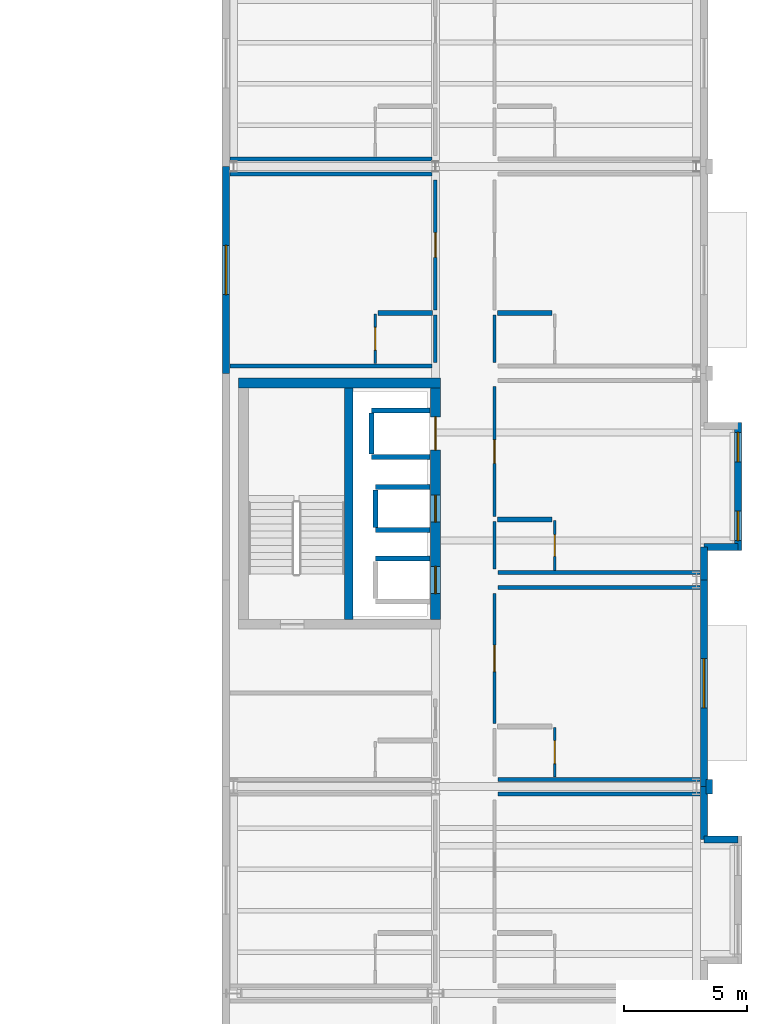
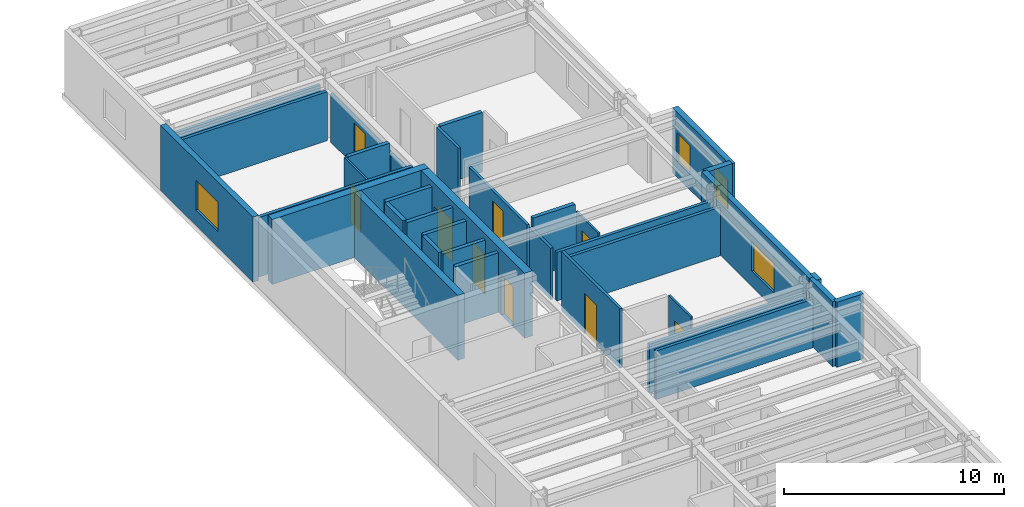
# One storey, part 25 of 34: 37 walls, 9 doors, 4 windows, 13 openings.
"""IFC4 building model written with IfcOpenShell, lengths in metres."""

import ifcopenshell
import ifcopenshell.guid

model = None  # the IFC model being written
_history = None  # IfcOwnerHistory: only IFC2X3 demands one
_inside = {}  # id of a spatial element -> (the spatial element, [elements in it])
_under = {}  # id of a project, library or spatial element -> (it, [spatial elements below it])
_declared = {}  # id of a project -> (the project, [libraries it declares])
_typed = {}  # id of a type object -> (the type object, [elements of that type])
_made_of = {}  # id of a material, layer set ... -> (it, [elements and type objects made of it])


def new_model(schema):
    """Start an empty IFC model of exactly this schema.

    Asked for "IFC4X3", IfcOpenShell would pick the latest addendum, in which some entities
    have other attributes; the version numbers below select the first issue.
    IFC2X3 requires an IfcOwnerHistory on every rooted entity: one is made here for all.
    """
    global model, _history
    if schema == "IFC4X3":
        model = ifcopenshell.file(schema_version=(4, 3, 0, 0))
    else:
        model = ifcopenshell.file(schema=schema)
    _inside.clear()
    _under.clear()
    _declared.clear()
    _typed.clear()
    _made_of.clear()
    _history = None
    if model.schema == "IFC2X3":
        org = make("IfcOrganization", Name="unknown")
        user = make(
            "IfcPersonAndOrganization",
            ThePerson=make("IfcPerson", FamilyName="unknown"),
            TheOrganization=org,
        )
        app = make(
            "IfcApplication",
            ApplicationDeveloper=org,
            Version="unknown",
            ApplicationFullName="unknown",
            ApplicationIdentifier="unknown",
        )
        _history = make(
            "IfcOwnerHistory",
            OwningUser=user,
            OwningApplication=app,
            ChangeAction="ADDED",
            CreationDate=0,
        )
    return model


def make(cls, **values):
    """One entity of the class cls with the attributes given. An attribute that is None is left unset."""
    return model.create_entity(
        cls, **{name: value for name, value in values.items() if value is not None}
    )


def rooted(cls, **values):
    """An entity with a GlobalId (a new one), such as an element, a storey or a relation."""
    return make(cls, GlobalId=ifcopenshell.guid.new(), OwnerHistory=_history, **values)


def si_unit(unit_type, name, prefix=None):
    """IfcSIUnit, for example si_unit("LENGTHUNIT", "METRE", prefix="MILLI")."""
    return make("IfcSIUnit", UnitType=unit_type, Prefix=prefix, Name=name)


def assignment(units):
    """IfcUnitAssignment: the units of a project."""
    return None if units is None else make("IfcUnitAssignment", Units=units)


def point(xyz):
    """IfcCartesianPoint."""
    return None if xyz is None else make("IfcCartesianPoint", Coordinates=xyz)


def direction(xyz):
    """IfcDirection."""
    return None if xyz is None else make("IfcDirection", DirectionRatios=xyz)


def frame(location, z_axis=None, x_axis=None):
    """IfcAxis2Placement3D, a coordinate frame: its origin and axes. An axis left out is left unset."""
    return make(
        "IfcAxis2Placement3D",
        Location=point(location),
        Axis=direction(z_axis),
        RefDirection=direction(x_axis),
    )


def frame_2d(location, x_axis=None):
    """IfcAxis2Placement2D, a coordinate frame in the plane: its origin and x axis."""
    return make(
        "IfcAxis2Placement2D", Location=point(location), RefDirection=direction(x_axis)
    )


def origin():
    """The frame at (0, 0, 0) with its axes left unset."""
    return frame((0.0, 0.0, 0.0))


def place(relative_to, where):
    """IfcLocalPlacement: puts the frame where relative to a parent placement (None: the world)."""
    return make(
        "IfcLocalPlacement", PlacementRelTo=relative_to, RelativePlacement=where
    )


def context(
    kind, dimensions, precision=None, world=None, true_north=None, identifier=None
):
    """IfcGeometricRepresentationContext, for example the 3D "Model" context."""
    return make(
        "IfcGeometricRepresentationContext",
        ContextIdentifier=identifier,
        ContextType=kind,
        CoordinateSpaceDimension=dimensions,
        Precision=precision,
        WorldCoordinateSystem=world,
        TrueNorth=true_north,
    )


def subcontext(parent, identifier, kind, view, scale=None):
    """IfcGeometricRepresentationSubContext, for example "Body" below "Model"."""
    return make(
        "IfcGeometricRepresentationSubContext",
        ContextIdentifier=identifier,
        ContextType=kind,
        ParentContext=parent,
        TargetScale=scale,
        TargetView=view,
    )


def project(units=None, contexts=None):
    """IfcProject with its units and contexts."""
    return rooted(
        "IfcProject",
        Name="project",
        RepresentationContexts=contexts,
        UnitsInContext=assignment(units),
    )


def spatial(cls, under=None, at=None, **own):
    """A site, building, storey or space (cls), placed at a placement, below another one or the project."""
    s = rooted(cls, ObjectPlacement=at, **own)
    if under is not None:
        _under.setdefault(under.id(), (under, []))[1].append(s)
    return s


def profile(cls, at=None, kind="AREA", **sizes):
    """A parametric profile (cls). Its sizes go by their IFC names, for example OverallWidth=200.0."""
    return make(cls, ProfileType=kind, Position=at, **sizes)


def rectangle(**sizes):
    """IfcRectangleProfileDef."""
    return profile("IfcRectangleProfileDef", **sizes)


def extrude(swept, where, along, depth):
    """IfcExtrudedAreaSolid: the profile swept, set in the frame where, extruded along a direction by depth."""
    return make(
        "IfcExtrudedAreaSolid",
        SweptArea=swept,
        Position=where,
        ExtrudedDirection=direction(along),
        Depth=depth,
    )


def shape(context_of_items, identifier, shape_type, items):
    """IfcShapeRepresentation: the items that make up one representation, for example the "Body"."""
    return make(
        "IfcShapeRepresentation",
        ContextOfItems=context_of_items,
        RepresentationIdentifier=identifier,
        RepresentationType=shape_type,
        Items=items,
    )


def material(Name=None, Category=None):
    """IfcMaterial."""
    return make("IfcMaterial", Name=Name, Category=Category)


def layer(
    of_material, thickness, ventilated=None, Name=None, Category=None, Priority=None
):
    """IfcMaterialLayer: one layer of a wall or slab, of a material (None: an air gap)."""
    return make(
        "IfcMaterialLayer",
        Material=of_material,
        LayerThickness=thickness,
        IsVentilated=ventilated,
        Name=Name,
        Category=Category,
        Priority=Priority,
    )


def layer_set(layers, Name=None):
    """IfcMaterialLayerSet."""
    return make("IfcMaterialLayerSet", MaterialLayers=layers, LayerSetName=Name)


def made_of(thing, what):
    """Note that an element or type object is made of a material, layer set ...; save() writes the relation."""
    if what is not None:
        _made_of.setdefault(what.id(), (what, []))[1].append(thing)
    return thing


def type_object(cls, material=None, **own):
    """A type object (cls), such as IfcWallType, which elements share."""
    return made_of(rooted(cls, **own), material)


def element(
    cls,
    number,
    at=None,
    inside=None,
    cuts=None,
    type_object=None,
    material=None,
    context=None,
    identifier="Body",
    shape_type=None,
    held_by="IfcProductDefinitionShape",
    body=None,
    shapes=None,
    **own,
):
    """One element of the class cls, such as IfcWall. Its Tag is "e" and its number.

    at: its placement. inside: the storey or other place that contains it. cuts: it is an
    opening in that element (IfcRelVoidsElement). A single representation is given by context,
    identifier, shape_type and body (its items); several are given by shapes. held_by: the class
    of the entity that holds the representations. save() writes the other relations.
    """
    e = rooted(cls, Tag="e%d" % number, ObjectPlacement=at, **own)
    if body is not None:
        shapes = [shape(context, identifier, shape_type, body)]
    if shapes is not None:
        e.Representation = make(held_by, Representations=shapes)
    if inside is not None:
        _inside.setdefault(inside.id(), (inside, []))[1].append(e)
    if cuts is not None:
        rooted(
            "IfcRelVoidsElement", RelatingBuildingElement=cuts, RelatedOpeningElement=e
        )
    if type_object is not None:
        _typed.setdefault(type_object.id(), (type_object, []))[1].append(e)
    return made_of(e, material)


def fill(opening, filler):
    """IfcRelFillsElement: the door or window that sits in an opening."""
    return rooted(
        "IfcRelFillsElement",
        RelatingOpeningElement=opening,
        RelatedBuildingElement=filler,
    )


def aggregate(whole, parts):
    """IfcRelAggregates: a whole, such as a stair, and the parts it consists of."""
    return rooted("IfcRelAggregates", RelatingObject=whole, RelatedObjects=parts)


def save(model, path):
    """Write the relations noted so far, then the file.

    IfcRelAggregates (storeys below a building ...), IfcRelContainedInSpatialStructure (elements
    in a storey), IfcRelDefinesByType, IfcRelAssociatesMaterial and IfcRelDeclares: one each for
    every whole, place, type object, material and project.
    """
    for whole, parts in _under.values():
        aggregate(whole, parts)
    for where, things in _inside.values():
        rooted(
            "IfcRelContainedInSpatialStructure",
            RelatedElements=things,
            RelatingStructure=where,
        )
    for kind, things in _typed.values():
        rooted("IfcRelDefinesByType", RelatedObjects=things, RelatingType=kind)
    for what, things in _made_of.values():
        rooted("IfcRelAssociatesMaterial", RelatedObjects=things, RelatingMaterial=what)
    for by, libraries in _declared.values():
        rooted("IfcRelDeclares", RelatingContext=by, RelatedDefinitions=libraries)
    model.write(path)


model = new_model("IFC4")

# Units and contexts
model_context = context("Model", 3, precision=1e-05, world=origin(), true_north=direction((0.0, 1.0)))
body_context = subcontext(model_context, "Body", "Model", "MODEL_VIEW")
ifc_project = project(units=[si_unit("LENGTHUNIT", "METRE"), si_unit("AREAUNIT", "SQUARE_METRE"), si_unit("VOLUMEUNIT", "CUBIC_METRE"), si_unit("PLANEANGLEUNIT", "RADIAN"), si_unit("MASSUNIT", "GRAM", prefix="KILO")], contexts=[model_context])

# Site, building, storey
site_placement = place(None, origin())
site = spatial("IfcSite", under=ifc_project, at=site_placement, CompositionType="ELEMENT")
building_placement = place(site_placement, origin())
building = spatial("IfcBuilding", under=site, at=building_placement, Name="Sollismere Congress Hotel", CompositionType="ELEMENT")
storey_placement = place(building_placement, frame((0.0, 0.0, 23.39990234375)))
storey = spatial("IfcBuildingStorey", under=building, at=storey_placement, Name="L05", CompositionType="ELEMENT", Elevation=23.39990234375)

# Walls
ifc_material_1 = material(Name="Colorado Buff Sandstone Rainscreen on Insulated Backup", Category="masonry")
ifc_layer_1 = layer(ifc_material_1, 0.284912109375, Name="Colorado Buff Sandstone Rainscreen on Insulated Backup")
ifc_layer_set_1 = layer_set([ifc_layer_1], Name="Colorado Buff Sandstone Rainscreen on Insulated Backup")
wall_type_1 = type_object("IfcWallType", Name="WL-EXT285", PredefinedType="STANDARD", material=ifc_layer_set_1)
wall_1_placement = place(storey_placement, frame((166.31005859375, 31.06005859375, 0.0), z_axis=(0.0, 0.0, 1.0), x_axis=(0.0, 1.0, 0.0)))
element("IfcWall", 1, at=wall_1_placement, inside=storey, type_object=wall_type_1, Name="Exterior wall EW-L05-615", PredefinedType="STANDARD", context=body_context, shape_type="SweptSolid", body=[
    extrude(rectangle(XDim=2.139892578125, YDim=0.284912109375, at=frame_2d((1.06982421875, 0.0))), origin(), (0.0, 0.0, 1.0), 3.60009765625),
])
wall_2_placement = place(storey_placement, frame((167.699951171875, 31.06005859375, 0.0), z_axis=(0.0, 0.0, 1.0), x_axis=(-1.0, 0.0, 0.0)))
element("IfcWall", 2, at=wall_2_placement, inside=storey, type_object=wall_type_1, Name="Exterior wall EW-L05-618", PredefinedType="STANDARD", context=body_context, shape_type="SweptSolid", body=[
    extrude(rectangle(XDim=1.389892578125, YDim=0.284912109375, at=frame_2d((0.69482421875, 0.0))), origin(), (0.0, 0.0, 1.0), 3.60009765625),
])

# Wall, opening, window
wall_3_placement = place(storey_placement, frame((166.31005859375, 33.199951171875, 0.0), z_axis=(0.0, 0.0, 1.0), x_axis=(0.0, 1.0, 0.0)))
wall_3 = element("IfcWall", 3, at=wall_3_placement, inside=storey, type_object=wall_type_1, Name="Exterior wall EW-L05-619", PredefinedType="STANDARD", context=body_context, shape_type="SweptSolid", body=[
    extrude(rectangle(XDim=8.400146484375, YDim=0.284912109375, at=frame_2d((4.2001953125, 0.0))), origin(), (0.0, 0.0, 1.0), 3.60009765625),
])
opening_1_placement = place(wall_3_placement, frame((3.199951171875, 0.0, 0.85009765625)))
opening_1 = element("IfcOpeningElement", 4, at=opening_1_placement, cuts=wall_3, Name="Opening W-L05-458", PredefinedType="OPENING", context=body_context, shape_type="SweptSolid", body=[
    extrude(rectangle(XDim=2.0, YDim=1.64990234375, at=frame_2d((1.0, 0.824951171875))), frame((0.0, 0.15234375, 0.0), z_axis=(0.0, -1.0, 0.0), x_axis=(1.0, 0.0, 0.0)), (0.0, 0.0, 1.0), 0.304931640625),
])
ifc_material_2 = material(Name="Thermally Broken Bronze Aluminum & Low-E Glass", Category="aluminium")
window_type_1 = type_object("IfcWindowType", Name="WN-P200x165", PartitioningType="SINGLE_PANEL", PredefinedType="WINDOW", material=ifc_material_2)
window_1_placement = place(opening_1_placement, origin())
window_1 = element("IfcWindow", 5, at=window_1_placement, inside=storey, type_object=window_type_1, Name="WIN-W-L05-458", OverallHeight=1.64990234375, OverallWidth=2.0, PartitioningType="SINGLE_PANEL", PredefinedType="WINDOW", context=body_context, shape_type="SweptSolid", body=[
    extrude(rectangle(XDim=2.0, YDim=1.64990234375, at=frame_2d((1.0, 0.824951171875))), frame((0.0, 0.030029296875, 0.0), z_axis=(0.0, -1.0, 0.0), x_axis=(1.0, 0.0, 0.0)), (0.0, 0.0, 1.0), 0.06005859375),
])
fill(opening_1, window_1)

# Wall
wall_4_placement = place(storey_placement, frame((166.31005859375, 41.60009765625, 0.0), z_axis=(0.0, 0.0, 1.0), x_axis=(0.0, 1.0, 0.0)))
element("IfcWall", 6, at=wall_4_placement, inside=storey, type_object=wall_type_1, Name="Exterior wall EW-L05-621", PredefinedType="STANDARD", context=body_context, shape_type="SweptSolid", body=[
    extrude(rectangle(XDim=1.33984375, YDim=0.284912109375, at=frame_2d((0.669921875, 0.0))), origin(), (0.0, 0.0, 1.0), 3.60009765625),
])

# Wall, openings, windows
wall_5_placement = place(storey_placement, frame((167.699951171875, 42.800048828125, 0.0), z_axis=(0.0, 0.0, 1.0), x_axis=(0.0, 1.0, 0.0)))
wall_5 = element("IfcWall", 7, at=wall_5_placement, inside=storey, type_object=wall_type_1, Name="Exterior wall EW-L05-623", PredefinedType="STANDARD", context=body_context, shape_type="SweptSolid", body=[
    extrude(rectangle(XDim=5.199951171875, YDim=0.284912109375, at=frame_2d((2.60009765625, 0.0))), origin(), (0.0, 0.0, 1.0), 3.60009765625),
])
opening_2_placement = place(wall_5_placement, frame((0.39990234375, 0.0, 0.85009765625)))
opening_2 = element("IfcOpeningElement", 8, at=opening_2_placement, cuts=wall_5, Name="Opening W-L05-459", PredefinedType="OPENING", context=body_context, shape_type="SweptSolid", body=[
    extrude(rectangle(XDim=1.199951171875, YDim=1.60009765625, at=frame_2d((0.60009765625, 0.800048828125))), frame((0.0, 0.15234375, 0.0), z_axis=(0.0, -1.0, 0.0), x_axis=(1.0, 0.0, 0.0)), (0.0, 0.0, 1.0), 0.304931640625),
])
opening_3_placement = place(wall_5_placement, frame((3.60009765625, 0.0, 0.85009765625)))
opening_3 = element("IfcOpeningElement", 9, at=opening_3_placement, cuts=wall_5, Name="Opening W-L05-460", PredefinedType="OPENING", context=body_context, shape_type="SweptSolid", body=[
    extrude(rectangle(XDim=1.199951171875, YDim=1.60009765625, at=frame_2d((0.60009765625, 0.800048828125))), frame((0.0, 0.15234375, 0.0), z_axis=(0.0, -1.0, 0.0), x_axis=(1.0, 0.0, 0.0)), (0.0, 0.0, 1.0), 0.304931640625),
])
window_type_2 = type_object("IfcWindowType", Name="WN-P120x160", PartitioningType="SINGLE_PANEL", PredefinedType="WINDOW", material=ifc_material_2)
window_2_placement = place(opening_2_placement, origin())
window_2 = element("IfcWindow", 10, at=window_2_placement, inside=storey, type_object=window_type_2, Name="WIN-W-L05-459", OverallHeight=1.60009765625, OverallWidth=1.199951171875, PartitioningType="SINGLE_PANEL", PredefinedType="WINDOW", context=body_context, shape_type="SweptSolid", body=[
    extrude(rectangle(XDim=1.199951171875, YDim=1.60009765625, at=frame_2d((0.60009765625, 0.800048828125))), frame((0.0, 0.030029296875, 0.0), z_axis=(0.0, -1.0, 0.0), x_axis=(1.0, 0.0, 0.0)), (0.0, 0.0, 1.0), 0.06005859375),
])
fill(opening_2, window_2)
window_3_placement = place(opening_3_placement, origin())
window_3 = element("IfcWindow", 11, at=window_3_placement, inside=storey, type_object=window_type_2, Name="WIN-W-L05-460", OverallHeight=1.60009765625, OverallWidth=1.199951171875, PartitioningType="SINGLE_PANEL", PredefinedType="WINDOW", context=body_context, shape_type="SweptSolid", body=[
    extrude(rectangle(XDim=1.199951171875, YDim=1.60009765625, at=frame_2d((0.60009765625, 0.800048828125))), frame((0.0, 0.030029296875, 0.0), z_axis=(0.0, -1.0, 0.0), x_axis=(1.0, 0.0, 0.0)), (0.0, 0.0, 1.0), 0.06005859375),
])
fill(opening_3, window_3)

# Wall
wall_6_placement = place(storey_placement, frame((166.31005859375, 42.93994140625, 0.0), z_axis=(0.0, 0.0, 1.0), x_axis=(1.0, 0.0, 0.0)))
element("IfcWall", 12, at=wall_6_placement, inside=storey, type_object=wall_type_1, Name="Exterior wall EW-L05-624", PredefinedType="STANDARD", context=body_context, shape_type="SweptSolid", body=[
    extrude(rectangle(XDim=1.389892578125, YDim=0.284912109375, at=frame_2d((0.69482421875, 0.0))), origin(), (0.0, 0.0, 1.0), 3.60009765625),
])

# Wall, opening, window
wall_7_placement = place(storey_placement, frame((146.889892578125, 50.0, 0.0), z_axis=(0.0, 0.0, 1.0), x_axis=(0.0, 1.0, 0.0)))
wall_7 = element("IfcWall", 13, at=wall_7_placement, inside=storey, type_object=wall_type_1, Name="Exterior wall EW-L05-646", PredefinedType="STANDARD", context=body_context, shape_type="SweptSolid", body=[
    extrude(rectangle(XDim=8.39990234375, YDim=0.284912109375, at=frame_2d((4.199951171875, 0.0))), origin(), (0.0, 0.0, 1.0), 3.60009765625),
])
opening_4_placement = place(wall_7_placement, frame((3.199951171875, 0.0, 0.85009765625)))
opening_4 = element("IfcOpeningElement", 14, at=opening_4_placement, cuts=wall_7, Name="Opening W-L05-477", PredefinedType="OPENING", context=body_context, shape_type="SweptSolid", body=[
    extrude(rectangle(XDim=2.0, YDim=1.64990234375, at=frame_2d((1.0, 0.824951171875))), frame((0.0, 0.15234375, 0.0), z_axis=(0.0, -1.0, 0.0), x_axis=(1.0, 0.0, 0.0)), (0.0, 0.0, 1.0), 0.304931640625),
])
window_4_placement = place(opening_4_placement, origin())
window_4 = element("IfcWindow", 15, at=window_4_placement, inside=storey, type_object=window_type_1, Name="WIN-W-L05-477", OverallHeight=1.64990234375, OverallWidth=2.0, PartitioningType="SINGLE_PANEL", PredefinedType="WINDOW", context=body_context, shape_type="SweptSolid", body=[
    extrude(rectangle(XDim=2.0, YDim=1.64990234375, at=frame_2d((1.0, 0.824951171875))), frame((0.0, 0.030029296875, 0.0), z_axis=(0.0, -1.0, 0.0), x_axis=(1.0, 0.0, 0.0)), (0.0, 0.0, 1.0), 0.06005859375),
])
fill(opening_4, window_4)

# Walls
ifc_material_3 = material(Name="Carved Travertine Pilaster & Frieze Assembly", Category="masonry")
ifc_layer_2 = layer(ifc_material_3, 0.260009765625, Name="Carved Travertine Pilaster & Frieze Assembly")
ifc_layer_set_2 = layer_set([ifc_layer_2], Name="Carved Travertine Pilaster & Frieze Assembly")
wall_type_2 = type_object("IfcWallType", Name="WL-PIL280", PredefinedType="ELEMENTEDWALL", material=ifc_layer_set_2)
wall_8_placement = place(storey_placement, frame((166.52001953125, 32.89990234375, 0.0), z_axis=(0.0, 0.0, 1.0), x_axis=(0.0, 1.0, 0.0)))
element("IfcWall", 16, at=wall_8_placement, inside=storey, type_object=wall_type_2, Name="Exterior wall EW-L05-620", PredefinedType="ELEMENTEDWALL", context=body_context, shape_type="SweptSolid", body=[
    extrude(rectangle(XDim=0.60009765625, YDim=0.260009765625, at=frame_2d((0.300048828125, 0.0))), origin(), (0.0, 0.0, 1.0), 3.60009765625),
])
ifc_material_4 = material(Name="Moisture-Resistant Shaft Gypsum Assembly")
ifc_layer_3 = layer(ifc_material_4, 0.199951171875, Name="Moisture-Resistant Shaft Gypsum Assembly")
ifc_layer_set_3 = layer_set([ifc_layer_3], Name="Moisture-Resistant Shaft Gypsum Assembly")
wall_type_3 = type_object("IfcWallType", Name="WL-PLM200", PredefinedType="PLUMBINGWALL", material=ifc_layer_set_3)
for number, where, z_axis, x_axis, name in (
    (17, (152.955078125, 42.469970703125, 0.0), (0.0, 0.0, 1.0), (1.0, 0.0, 0.0), "Interior wall IW-L05-0468"),
    (18, (152.955078125, 43.6298828125, 0.0), (0.0, 0.0, 1.0), (1.0, 0.0, 0.0), "Interior wall IW-L05-0470"),
    (19, (152.955078125, 45.3701171875, 0.0), (0.0, 0.0, 1.0), (1.0, 0.0, 0.0), "Interior wall IW-L05-0471"),
):
    element("IfcWall", number, at=place(storey_placement, frame(where, z_axis=z_axis, x_axis=x_axis)), inside=storey, type_object=wall_type_3, Name=name, PredefinedType="PLUMBINGWALL", context=body_context, shape_type="SweptSolid", body=[
        extrude(rectangle(XDim=2.23291015625, YDim=0.199951171875, at=frame_2d((1.116455078125, 0.0))), origin(), (0.0, 0.0, 1.0), 3.300048828125),
    ])
wall_9_placement = place(storey_placement, frame((152.955078125, 43.741943359375, 0.0), z_axis=(0.0, 0.0, 1.0), x_axis=(0.0, 1.0, 0.0)))
element("IfcWall", 20, at=wall_9_placement, inside=storey, type_object=wall_type_3, Name="Interior wall IW-L05-0472", PredefinedType="PLUMBINGWALL", context=body_context, shape_type="SweptSolid", body=[
    extrude(rectangle(XDim=1.51611328125, YDim=0.199951171875, at=frame_2d((0.758056640625, 0.0))), origin(), (0.0, 0.0, 1.0), 3.300048828125),
])
for number, where, z_axis, x_axis, name in (
    (21, (152.800048828125, 46.60498046875, 0.0), (0.0, 0.0, 1.0), (1.0, 0.0, 0.0), "Interior wall IW-L05-0473"),
    (22, (152.800048828125, 48.4951171875, 0.0), (0.0, 0.0, 1.0), (1.0, 0.0, 0.0), "Interior wall IW-L05-0474"),
):
    element("IfcWall", number, at=place(storey_placement, frame(where, z_axis=z_axis, x_axis=x_axis)), inside=storey, type_object=wall_type_3, Name=name, PredefinedType="PLUMBINGWALL", context=body_context, shape_type="SweptSolid", body=[
        extrude(rectangle(XDim=2.387939453125, YDim=0.199951171875, at=frame_2d((1.19384765625, 0.0))), origin(), (0.0, 0.0, 1.0), 3.300048828125),
    ])
wall_10_placement = place(storey_placement, frame((152.800048828125, 46.717041015625, 0.0), z_axis=(0.0, 0.0, 1.0), x_axis=(0.0, 1.0, 0.0)))
element("IfcWall", 23, at=wall_10_placement, inside=storey, type_object=wall_type_3, Name="Interior wall IW-L05-0475", PredefinedType="PLUMBINGWALL", context=body_context, shape_type="SweptSolid", body=[
    extrude(rectangle(XDim=1.666015625, YDim=0.199951171875, at=frame_2d((0.8330078125, 0.0))), origin(), (0.0, 0.0, 1.0), 3.300048828125),
])
for number, where, z_axis, x_axis, name in (
    (24, (157.919921875, 44.050048828125, 0.0), (0.0, 0.0, 1.0), (1.0, 0.0, 0.0), "Interior wall IW-L05-1922"),
    (25, (157.919921875, 52.449951171875, 0.0), (0.0, 0.0, 1.0), (1.0, 0.0, 0.0), "Interior wall IW-L05-1928"),
    (26, (153.070068359375, 52.449951171875, 0.0), (0.0, 0.0, 1.0), (1.0, 0.0, 0.0), "Interior wall IW-L05-1934"),
):
    element("IfcWall", number, at=place(storey_placement, frame(where, z_axis=z_axis, x_axis=x_axis)), inside=storey, type_object=wall_type_3, Name=name, PredefinedType="PLUMBINGWALL", context=body_context, shape_type="SweptSolid", body=[
        extrude(rectangle(XDim=2.2099609375, YDim=0.199951171875, at=frame_2d((1.10498046875, 0.0))), origin(), (0.0, 0.0, 1.0), 3.300048828125),
    ])

# Wall, opening, door
ifc_material_5 = material(Name="Moisture-Resistant Gypsum Partition")
ifc_layer_4 = layer(ifc_material_5, 0.10009765625, Name="Moisture-Resistant Gypsum Partition")
ifc_layer_set_4 = layer_set([ifc_layer_4], Name="Moisture-Resistant Gypsum Partition")
wall_type_4 = type_object("IfcWallType", Name="WL-PRT100", PredefinedType="PARTITIONING", material=ifc_layer_set_4)
wall_11_placement = place(storey_placement, frame((160.25, 33.594482421875, 0.0), z_axis=(0.0, 0.0, 1.0), x_axis=(0.0, 1.0, 0.0)))
wall_11 = element("IfcWall", 27, at=wall_11_placement, inside=storey, type_object=wall_type_4, Name="Interior wall IW-L05-1911", PredefinedType="PARTITIONING", context=body_context, shape_type="SweptSolid", body=[
    extrude(rectangle(XDim=2.015625, YDim=0.10009765625, at=frame_2d((1.0078125, 0.0))), origin(), (0.0, 0.0, 1.0), 3.300048828125),
])
opening_5_placement = place(wall_11_placement, frame((0.54296875, 0.0, 0.0)))
opening_5 = element("IfcOpeningElement", 28, at=opening_5_placement, cuts=wall_11, Name="Opening D-L05-0674", PredefinedType="OPENING", context=body_context, shape_type="SweptSolid", body=[
    extrude(rectangle(XDim=0.929931640625, YDim=2.219970703125, at=frame_2d((0.46484375, 1.10986328125))), frame((0.0, 0.06005859375, 0.0), z_axis=(0.0, -1.0, 0.0), x_axis=(1.0, 0.0, 0.0)), (0.0, 0.0, 1.0), 0.1201171875),
])
ifc_material_6 = material(Name="Moisture-Sealed Timber Bathroom Door", Category="wood")
door_type_1 = type_object("IfcDoorType", Name="DR-BT07", OperationType="NOTDEFINED", PredefinedType="DOOR", material=ifc_material_6)
door_1_placement = place(opening_5_placement, origin())
door_1 = element("IfcDoor", 29, at=door_1_placement, inside=storey, type_object=door_type_1, Name="En-suite bathroom door D-L05-0674", OperationType="SINGLE_SWING_LEFT", OverallHeight=2.219970703125, OverallWidth=0.929931640625, PredefinedType="DOOR", context=body_context, shape_type="SweptSolid", body=[
    extrude(rectangle(XDim=0.929931640625, YDim=2.219970703125, at=frame_2d((0.46484375, 1.10986328125))), frame((0.0, 0.02490234375, 0.0), z_axis=(0.0, -1.0, 0.0), x_axis=(1.0, 0.0, 0.0)), (0.0, 0.0, 1.0), 0.050048828125),
])
fill(opening_5, door_1)

wall_12_placement = place(storey_placement, frame((160.25, 41.994384765625, 0.0), z_axis=(0.0, 0.0, 1.0), x_axis=(0.0, 1.0, 0.0)))
wall_12 = element("IfcWall", 30, at=wall_12_placement, inside=storey, type_object=wall_type_4, Name="Interior wall IW-L05-1923", PredefinedType="PARTITIONING", context=body_context, shape_type="SweptSolid", body=[
    extrude(rectangle(XDim=2.015625, YDim=0.10009765625, at=frame_2d((1.0078125, 0.0))), origin(), (0.0, 0.0, 1.0), 2.85302734375),
])
opening_6_placement = place(wall_12_placement, frame((0.568115234375, 0.0, 0.0)))
opening_6 = element("IfcOpeningElement", 31, at=opening_6_placement, cuts=wall_12, Name="Opening D-L05-0678", PredefinedType="OPENING", context=body_context, shape_type="SweptSolid", body=[
    extrude(rectangle(XDim=0.8798828125, YDim=2.10009765625, at=frame_2d((0.43994140625, 1.050048828125))), frame((0.0, 0.06005859375, 0.0), z_axis=(0.0, -1.0, 0.0), x_axis=(1.0, 0.0, 0.0)), (0.0, 0.0, 1.0), 0.1201171875),
])
door_type_2 = type_object("IfcDoorType", Name="DR-BT01", OperationType="NOTDEFINED", PredefinedType="DOOR", material=ifc_material_6)
door_2_placement = place(opening_6_placement, origin())
door_2 = element("IfcDoor", 32, at=door_2_placement, inside=storey, type_object=door_type_2, Name="En-suite bathroom door D-L05-0678", OperationType="SINGLE_SWING_LEFT", OverallHeight=2.10009765625, OverallWidth=0.8798828125, PredefinedType="DOOR", context=body_context, shape_type="SweptSolid", body=[
    extrude(rectangle(XDim=0.8798828125, YDim=2.10009765625, at=frame_2d((0.43994140625, 1.050048828125))), frame((0.0, 0.02490234375, 0.0), z_axis=(0.0, -1.0, 0.0), x_axis=(1.0, 0.0, 0.0)), (0.0, 0.0, 1.0), 0.050048828125),
])
fill(opening_6, door_2)

wall_13_placement = place(storey_placement, frame((152.949951171875, 50.39453125, 0.0), z_axis=(0.0, 0.0, 1.0), x_axis=(0.0, 1.0, 0.0)))
wall_13 = element("IfcWall", 33, at=wall_13_placement, inside=storey, type_object=wall_type_4, Name="Interior wall IW-L05-1935", PredefinedType="PARTITIONING", context=body_context, shape_type="SweptSolid", body=[
    extrude(rectangle(XDim=2.015380859375, YDim=0.10009765625, at=frame_2d((1.0078125, 0.0))), origin(), (0.0, 0.0, 1.0), 3.300048828125),
])
opening_7_placement = place(wall_13_placement, frame((0.54296875, 0.0, 0.0)))
opening_7 = element("IfcOpeningElement", 34, at=opening_7_placement, cuts=wall_13, Name="Opening D-L05-0682", PredefinedType="OPENING", context=body_context, shape_type="SweptSolid", body=[
    extrude(rectangle(XDim=0.929931640625, YDim=2.139892578125, at=frame_2d((0.46484375, 1.06982421875))), frame((0.0, 0.06005859375, 0.0), z_axis=(0.0, -1.0, 0.0), x_axis=(1.0, 0.0, 0.0)), (0.0, 0.0, 1.0), 0.1201171875),
])
door_type_3 = type_object("IfcDoorType", Name="DR-BT03", OperationType="NOTDEFINED", PredefinedType="DOOR", material=ifc_material_6)
door_3_placement = place(opening_7_placement, origin())
door_3 = element("IfcDoor", 35, at=door_3_placement, inside=storey, type_object=door_type_3, Name="En-suite bathroom door D-L05-0682", OperationType="SINGLE_SWING_LEFT", OverallHeight=2.139892578125, OverallWidth=0.929931640625, PredefinedType="DOOR", context=body_context, shape_type="SweptSolid", body=[
    extrude(rectangle(XDim=0.929931640625, YDim=2.139892578125, at=frame_2d((0.46484375, 1.06982421875))), frame((0.0, 0.02490234375, 0.0), z_axis=(0.0, -1.0, 0.0), x_axis=(1.0, 0.0, 0.0)), (0.0, 0.0, 1.0), 0.050048828125),
])
fill(opening_7, door_3)

ifc_material_7 = material(Name="Fire-Rated Gypsum Partition")
ifc_layer_5 = layer(ifc_material_7, 0.139892578125, Name="Fire-Rated Gypsum Partition")
ifc_layer_set_5 = layer_set([ifc_layer_5], Name="Fire-Rated Gypsum Partition")
wall_type_5 = type_object("IfcWallType", Name="WL-PRT140R", PredefinedType="PARTITIONING", material=ifc_layer_set_5)
wall_14_placement = place(storey_placement, frame((157.800048828125, 35.77001953125, 0.0), z_axis=(0.0, 0.0, 1.0), x_axis=(0.0, 1.0, 0.0)))
wall_14 = element("IfcWall", 36, at=wall_14_placement, inside=storey, type_object=wall_type_5, Name="Interior wall IW-L05-1907", PredefinedType="PARTITIONING", context=body_context, shape_type="SweptSolid", body=[
    extrude(rectangle(XDim=5.2900390625, YDim=0.139892578125, at=frame_2d((2.64501953125, 0.0))), origin(), (0.0, 0.0, 1.0), 3.300048828125),
])
opening_8_placement = place(wall_14_placement, frame((2.110107421875, 0.0, 0.0)))
opening_8 = element("IfcOpeningElement", 37, at=opening_8_placement, cuts=wall_14, Name="Opening D-L05-0673", PredefinedType="OPENING", context=body_context, shape_type="SweptSolid", body=[
    extrude(rectangle(XDim=1.070068359375, YDim=2.25, at=frame_2d((0.53515625, 1.125))), frame((0.0, 0.079833984375, 0.0), z_axis=(0.0, -1.0, 0.0), x_axis=(1.0, 0.0, 0.0)), (0.0, 0.0, 1.0), 0.159912109375),
])
ifc_material_8 = material(Name="Solid-Core Acoustic Walnut Guestroom Entry Door")
door_type_4 = type_object("IfcDoorType", Name="DR-KY06", OperationType="NOTDEFINED", PredefinedType="DOOR", material=ifc_material_8)
door_4_placement = place(opening_8_placement, origin())
door_4 = element("IfcDoor", 38, at=door_4_placement, inside=storey, type_object=door_type_4, Name="Hotel room entry door D-L05-0673", OperationType="SINGLE_SWING_RIGHT", OverallHeight=2.25, OverallWidth=1.070068359375, PredefinedType="DOOR", context=body_context, shape_type="SweptSolid", body=[
    extrude(rectangle(XDim=1.070068359375, YDim=2.25, at=frame_2d((0.53515625, 1.125))), frame((0.0, 0.02490234375, 0.0), z_axis=(0.0, -1.0, 0.0), x_axis=(1.0, 0.0, 0.0)), (0.0, 0.0, 1.0), 0.050048828125),
])
fill(opening_8, door_4)

# Wall
wall_15_placement = place(storey_placement, frame((157.800048828125, 42.0400390625, 0.0), z_axis=(0.0, 0.0, 1.0), x_axis=(0.0, 1.0, 0.0)))
element("IfcWall", 39, at=wall_15_placement, inside=storey, type_object=wall_type_5, Name="Interior wall IW-L05-1918", PredefinedType="PARTITIONING", context=body_context, shape_type="SweptSolid", body=[
    extrude(rectangle(XDim=1.929931640625, YDim=0.139892578125, at=frame_2d((0.96484375, 0.0))), origin(), (0.0, 0.0, 1.0), 2.85302734375),
])

# Wall, opening, door
wall_16_placement = place(storey_placement, frame((157.800048828125, 44.169921875, 0.0), z_axis=(0.0, 0.0, 1.0), x_axis=(0.0, 1.0, 0.0)))
wall_16 = element("IfcWall", 40, at=wall_16_placement, inside=storey, type_object=wall_type_5, Name="Interior wall IW-L05-1919", PredefinedType="PARTITIONING", context=body_context, shape_type="SweptSolid", body=[
    extrude(rectangle(XDim=5.2900390625, YDim=0.139892578125, at=frame_2d((2.64501953125, 0.0))), origin(), (0.0, 0.0, 1.0), 2.85302734375),
])
opening_9_placement = place(wall_16_placement, frame((2.169921875, 0.0, 0.0)))
opening_9 = element("IfcOpeningElement", 41, at=opening_9_placement, cuts=wall_16, Name="Opening D-L05-0677", PredefinedType="OPENING", context=body_context, shape_type="SweptSolid", body=[
    extrude(rectangle(XDim=0.949951171875, YDim=2.300048828125, at=frame_2d((0.47509765625, 1.14990234375))), frame((0.0, 0.079833984375, 0.0), z_axis=(0.0, -1.0, 0.0), x_axis=(1.0, 0.0, 0.0)), (0.0, 0.0, 1.0), 0.159912109375),
])
door_type_5 = type_object("IfcDoorType", Name="DR-KY08", OperationType="NOTDEFINED", PredefinedType="DOOR", material=ifc_material_8)
door_5_placement = place(opening_9_placement, origin())
door_5 = element("IfcDoor", 42, at=door_5_placement, inside=storey, type_object=door_type_5, Name="Hotel room entry door D-L05-0677", OperationType="SINGLE_SWING_RIGHT", OverallHeight=2.300048828125, OverallWidth=0.949951171875, PredefinedType="DOOR", context=body_context, shape_type="SweptSolid", body=[
    extrude(rectangle(XDim=0.949951171875, YDim=2.300048828125, at=frame_2d((0.47509765625, 1.14990234375))), frame((0.0, 0.02490234375, 0.0), z_axis=(0.0, -1.0, 0.0), x_axis=(1.0, 0.0, 0.0)), (0.0, 0.0, 1.0), 0.050048828125),
])
fill(opening_9, door_5)

# Walls
wall_17_placement = place(storey_placement, frame((157.800048828125, 50.43994140625, 0.0), z_axis=(0.0, 0.0, 1.0), x_axis=(0.0, 1.0, 0.0)))
element("IfcWall", 43, at=wall_17_placement, inside=storey, type_object=wall_type_5, Name="Interior wall IW-L05-1924", PredefinedType="PARTITIONING", context=body_context, shape_type="SweptSolid", body=[
    extrude(rectangle(XDim=1.93017578125, YDim=0.139892578125, at=frame_2d((0.965087890625, 0.0))), origin(), (0.0, 0.0, 1.0), 3.300048828125),
])
wall_18_placement = place(storey_placement, frame((155.39990234375, 50.43994140625, 0.0), z_axis=(0.0, 0.0, 1.0), x_axis=(0.0, 1.0, 0.0)))
element("IfcWall", 44, at=wall_18_placement, inside=storey, type_object=wall_type_5, Name="Interior wall IW-L05-1930", PredefinedType="PARTITIONING", context=body_context, shape_type="SweptSolid", body=[
    extrude(rectangle(XDim=1.93017578125, YDim=0.139892578125, at=frame_2d((0.965087890625, 0.0))), origin(), (0.0, 0.0, 1.0), 2.690185546875),
])

# Wall, opening, door
wall_19_placement = place(storey_placement, frame((155.39990234375, 52.570068359375, 0.0), z_axis=(0.0, 0.0, 1.0), x_axis=(0.0, 1.0, 0.0)))
wall_19 = element("IfcWall", 45, at=wall_19_placement, inside=storey, type_object=wall_type_5, Name="Interior wall IW-L05-1931", PredefinedType="PARTITIONING", context=body_context, shape_type="SweptSolid", body=[
    extrude(rectangle(XDim=5.2900390625, YDim=0.139892578125, at=frame_2d((2.64501953125, 0.0))), origin(), (0.0, 0.0, 1.0), 2.690185546875),
])
opening_10_placement = place(wall_19_placement, frame((2.139892578125, 0.0, 0.0)))
opening_10 = element("IfcOpeningElement", 46, at=opening_10_placement, cuts=wall_19, Name="Opening D-L05-0681", PredefinedType="OPENING", context=body_context, shape_type="SweptSolid", body=[
    extrude(rectangle(XDim=1.010009765625, YDim=2.35009765625, at=frame_2d((0.5048828125, 1.175048828125))), frame((0.0, 0.079833984375, 0.0), z_axis=(0.0, -1.0, 0.0), x_axis=(1.0, 0.0, 0.0)), (0.0, 0.0, 1.0), 0.159912109375),
])
door_type_6 = type_object("IfcDoorType", Name="DR-KY10", OperationType="NOTDEFINED", PredefinedType="DOOR", material=ifc_material_8)
door_6_placement = place(opening_10_placement, origin())
door_6 = element("IfcDoor", 47, at=door_6_placement, inside=storey, type_object=door_type_6, Name="Hotel room entry door D-L05-0681", OperationType="SINGLE_SWING_RIGHT", OverallHeight=2.35009765625, OverallWidth=1.010009765625, PredefinedType="DOOR", context=body_context, shape_type="SweptSolid", body=[
    extrude(rectangle(XDim=1.010009765625, YDim=2.35009765625, at=frame_2d((0.5048828125, 1.175048828125))), frame((0.0, 0.02490234375, 0.0), z_axis=(0.0, -1.0, 0.0), x_axis=(1.0, 0.0, 0.0)), (0.0, 0.0, 1.0), 0.050048828125),
])
fill(opening_10, door_6)

# Walls
ifc_material_9 = material(Name="Fire-Rated Acoustic Gypsum Partition")
ifc_layer_6 = layer(ifc_material_9, 0.1650390625, Name="Fire-Rated Acoustic Gypsum Partition")
ifc_layer_set_6 = layer_set([ifc_layer_6], Name="Fire-Rated Acoustic Gypsum Partition")
wall_type_6 = type_object("IfcWallType", Name="WL-PRT165R", PredefinedType="PARTITIONING", material=ifc_layer_set_6)
for number, where, z_axis, x_axis, name in (
    (48, (157.93994140625, 32.89990234375, 0.0), (0.0, 0.0, 1.0), (1.0, 0.0, 0.0), "Interior wall IW-L05-1897"),
    (49, (157.93994140625, 33.5, 0.0), (0.0, 0.0, 1.0), (1.0, 0.0, 0.0), "Interior wall IW-L05-1908"),
    (50, (157.93994140625, 41.300048828125, 0.0), (0.0, 0.0, 1.0), (1.0, 0.0, 0.0), "Interior wall IW-L05-1909"),
    (51, (157.93994140625, 41.89990234375, 0.0), (0.0, 0.0, 1.0), (1.0, 0.0, 0.0), "Interior wall IW-L05-1920"),
):
    element("IfcWall", number, at=place(storey_placement, frame(where, z_axis=z_axis, x_axis=x_axis)), inside=storey, type_object=wall_type_6, Name=name, PredefinedType="PARTITIONING", context=body_context, shape_type="SweptSolid", body=[
        extrude(rectangle(XDim=8.212646484375, YDim=0.1650390625, at=frame_2d((4.1064453125, 0.0))), origin(), (0.0, 0.0, 1.0), 2.690185546875),
    ])
wall_20_placement = place(storey_placement, frame((147.047607421875, 50.300048828125, 0.0), z_axis=(0.0, 0.0, 1.0), x_axis=(1.0, 0.0, 0.0)))
element("IfcWall", 52, at=wall_20_placement, inside=storey, type_object=wall_type_6, Name="Interior wall IW-L05-1932", PredefinedType="PARTITIONING", context=body_context, shape_type="SweptSolid", body=[
    extrude(rectangle(XDim=8.21240234375, YDim=0.1650390625, at=frame_2d((4.106201171875, 0.0))), origin(), (0.0, 0.0, 1.0), 3.300048828125),
])
for number, where, z_axis, x_axis, name in (
    (53, (147.047607421875, 58.10009765625, 0.0), (0.0, 0.0, 1.0), (1.0, 0.0, 0.0), "Interior wall IW-L05-1933"),
    (54, (147.047607421875, 58.699951171875, 0.0), (0.0, 0.0, 1.0), (1.0, 0.0, 0.0), "Interior wall IW-L05-1943"),
):
    element("IfcWall", number, at=place(storey_placement, frame(where, z_axis=z_axis, x_axis=x_axis)), inside=storey, type_object=wall_type_6, Name=name, PredefinedType="PARTITIONING", context=body_context, shape_type="SweptSolid", body=[
        extrude(rectangle(XDim=8.21240234375, YDim=0.1650390625, at=frame_2d((4.106201171875, 0.0))), origin(), (0.0, 0.0, 1.0), 2.713134765625),
    ])
ifc_material_10 = material(Name="Concrete C50/60", Category="concrete")
ifc_layer_7 = layer(ifc_material_10, 0.35009765625, Name="Concrete C50/60")
ifc_layer_set_7 = layer_set([ifc_layer_7], Name="Concrete C50/60")
wall_type_7 = type_object("IfcWallType", Name="WL-SHR350", PredefinedType="SHEAR", material=ifc_layer_set_7)
wall_21_placement = place(storey_placement, frame((151.875, 40.0, 0.0), z_axis=(0.0, 0.0, 1.0), x_axis=(0.0, 1.0, 0.0)))
element("IfcWall", 55, at=wall_21_placement, inside=storey, type_object=wall_type_7, Name="Interior wall IW-L05-0466", PredefinedType="SHEAR", context=body_context, shape_type="SweptSolid", body=[
    extrude(rectangle(XDim=9.39990234375, YDim=0.35009765625, at=frame_2d((4.699951171875, 0.0))), origin(), (0.0, 0.0, 1.0), 3.60009765625),
])
ifc_layer_8 = layer(ifc_material_10, 0.39990234375, Name="Concrete C50/60")
ifc_layer_set_8 = layer_set([ifc_layer_8], Name="Concrete C50/60")
wall_type_8 = type_object("IfcWallType", Name="WL-SHR400", PredefinedType="SHEAR", material=ifc_layer_set_8)
wall_22_placement = place(storey_placement, frame((155.60009765625, 49.60009765625, 0.0), z_axis=(0.0, 0.0, 1.0), x_axis=(-1.0, 0.0, 0.0)))
element("IfcWall", 56, at=wall_22_placement, inside=storey, type_object=wall_type_8, Name="Interior wall IW-L05-0463", PredefinedType="SHEAR", context=body_context, shape_type="SweptSolid", body=[
    extrude(rectangle(XDim=8.2001953125, YDim=0.39990234375, at=frame_2d((4.10009765625, 0.0))), origin(), (0.0, 0.0, 1.0), 3.60009765625),
])

# Wall, openings, doors
wall_23_placement = place(storey_placement, frame((155.39990234375, 40.0, 0.0), z_axis=(0.0, 0.0, 1.0), x_axis=(0.0, 1.0, 0.0)))
wall_23 = element("IfcWall", 57, at=wall_23_placement, inside=storey, type_object=wall_type_8, Name="Interior wall IW-L05-0465", PredefinedType="SHEAR", context=body_context, shape_type="SweptSolid", body=[
    extrude(rectangle(XDim=9.39990234375, YDim=0.39990234375, at=frame_2d((4.699951171875, 0.0))), origin(), (0.0, 0.0, 1.0), 3.60009765625),
])
opening_11_placement = place(wall_23_placement, frame((1.050048828125, 0.0, 0.0)))
opening_11 = element("IfcOpeningElement", 58, at=opening_11_placement, cuts=wall_23, Name="Opening LD-LP-05-L05", PredefinedType="OPENING", context=body_context, shape_type="SweptSolid", body=[
    extrude(rectangle(XDim=1.10009765625, YDim=2.199951171875, at=frame_2d((0.550048828125, 1.10009765625))), frame((0.0, 0.2099609375, 0.0), z_axis=(0.0, -1.0, 0.0), x_axis=(1.0, 0.0, 0.0)), (0.0, 0.0, 1.0), 0.419921875),
])
opening_12_placement = place(wall_23_placement, frame((3.949951171875, 0.0, 0.0)))
opening_12 = element("IfcOpeningElement", 59, at=opening_12_placement, cuts=wall_23, Name="Opening LD-LP-06-L05", PredefinedType="OPENING", context=body_context, shape_type="SweptSolid", body=[
    extrude(rectangle(XDim=1.10009765625, YDim=2.199951171875, at=frame_2d((0.550048828125, 1.10009765625))), frame((0.0, 0.2099609375, 0.0), z_axis=(0.0, -1.0, 0.0), x_axis=(1.0, 0.0, 0.0)), (0.0, 0.0, 1.0), 0.419921875),
])
opening_13_placement = place(wall_23_placement, frame((6.875, 0.0, 0.0)))
opening_13 = element("IfcOpeningElement", 60, at=opening_13_placement, cuts=wall_23, Name="Opening LD-LS-02-L05", PredefinedType="OPENING", context=body_context, shape_type="SweptSolid", body=[
    extrude(rectangle(XDim=1.35009765625, YDim=2.300048828125, at=frame_2d((0.675048828125, 1.14990234375))), frame((0.0, 0.2099609375, 0.0), z_axis=(0.0, -1.0, 0.0), x_axis=(1.0, 0.0, 0.0)), (0.0, 0.0, 1.0), 0.419921875),
])
ifc_material_11 = material(Name="Brushed Bronze Sliding Elevator Landing Door")
door_type_7 = type_object("IfcDoorType", Name="DR-LD110", OperationType="NOTDEFINED", PredefinedType="DOOR", material=ifc_material_11)
door_7_placement = place(opening_11_placement, origin())
door_7 = element("IfcDoor", 61, at=door_7_placement, inside=storey, type_object=door_type_7, Name="Elevator landing door LD-LP-05-L05", OperationType="SLIDING_TO_LEFT", OverallHeight=2.199951171875, OverallWidth=1.10009765625, PredefinedType="DOOR", context=body_context, shape_type="SweptSolid", body=[
    extrude(rectangle(XDim=1.10009765625, YDim=2.199951171875, at=frame_2d((0.550048828125, 1.10009765625))), frame((0.0, 0.02490234375, 0.0), z_axis=(0.0, -1.0, 0.0), x_axis=(1.0, 0.0, 0.0)), (0.0, 0.0, 1.0), 0.050048828125),
])
fill(opening_11, door_7)
door_8_placement = place(opening_12_placement, origin())
door_8 = element("IfcDoor", 62, at=door_8_placement, inside=storey, type_object=door_type_7, Name="Elevator landing door LD-LP-06-L05", OperationType="SLIDING_TO_RIGHT", OverallHeight=2.199951171875, OverallWidth=1.10009765625, PredefinedType="DOOR", context=body_context, shape_type="SweptSolid", body=[
    extrude(rectangle(XDim=1.10009765625, YDim=2.199951171875, at=frame_2d((0.550048828125, 1.10009765625))), frame((0.0, 0.02490234375, 0.0), z_axis=(0.0, -1.0, 0.0), x_axis=(1.0, 0.0, 0.0)), (0.0, 0.0, 1.0), 0.050048828125),
])
fill(opening_12, door_8)
ifc_material_12 = material(Name="Heavy-Duty Stainless Sliding Service Landing Door")
door_type_8 = type_object("IfcDoorType", Name="DR-LD135", OperationType="NOTDEFINED", PredefinedType="DOOR", material=ifc_material_12)
door_9_placement = place(opening_13_placement, origin())
door_9 = element("IfcDoor", 63, at=door_9_placement, inside=storey, type_object=door_type_8, Name="Elevator landing door LD-LS-02-L05", OperationType="SLIDING_TO_LEFT", OverallHeight=2.300048828125, OverallWidth=1.35009765625, PredefinedType="DOOR", context=body_context, shape_type="SweptSolid", body=[
    extrude(rectangle(XDim=1.35009765625, YDim=2.300048828125, at=frame_2d((0.675048828125, 1.14990234375))), frame((0.0, 0.02490234375, 0.0), z_axis=(0.0, -1.0, 0.0), x_axis=(1.0, 0.0, 0.0)), (0.0, 0.0, 1.0), 0.050048828125),
])
fill(opening_13, door_9)

save(model, "model.ifc")
